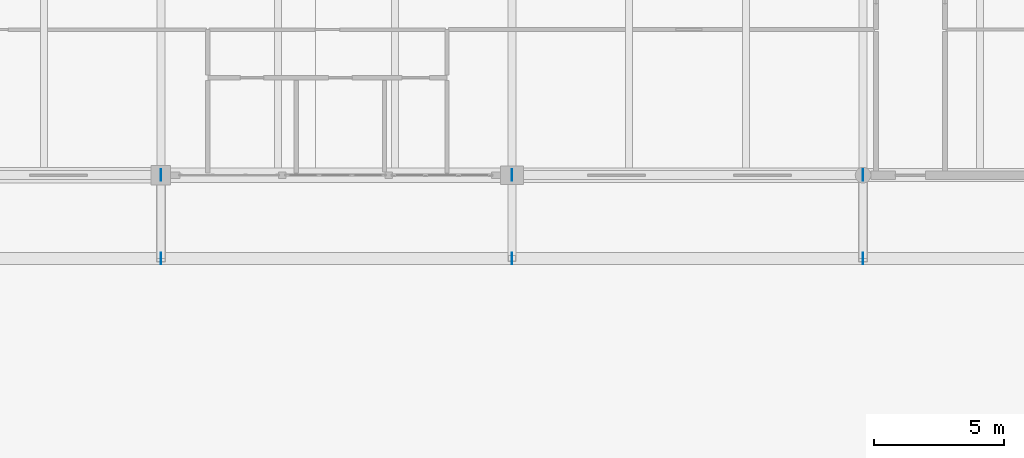
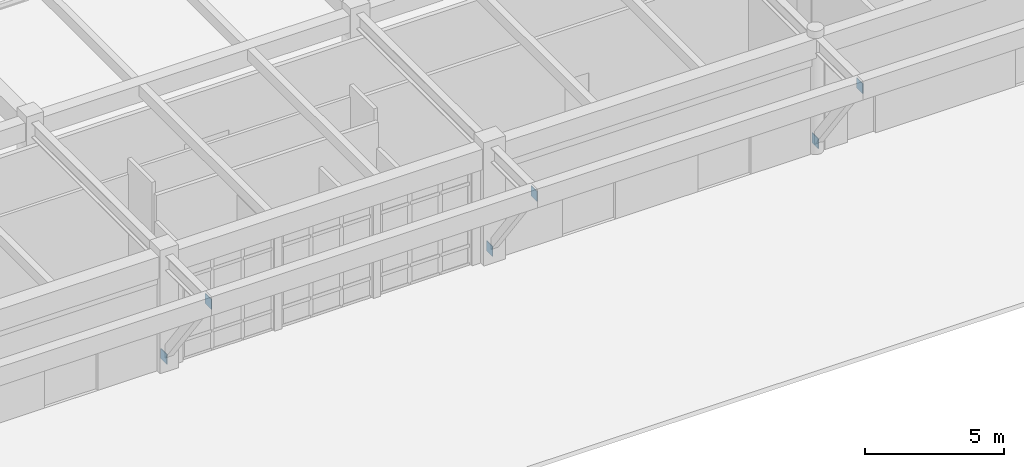
# One storey, part 105 of 138: 6 plates.
"""IFC4 building model written with IfcOpenShell, lengths in metres."""

from ifc_helpers import new_model, si_unit, direction, frame, origin, origin_2d, place, context, subcontext, project, spatial, rectangle, extrude, material, layer, layer_set, type_object, element, save


model = new_model("IFC4")

# Units and contexts
model_context = context("Model", 3, precision=1e-05, world=origin(), true_north=direction((0.0, 1.0)))
body_context = subcontext(model_context, "Body", "Model", "MODEL_VIEW")
ifc_project = project(units=[si_unit("LENGTHUNIT", "METRE"), si_unit("AREAUNIT", "SQUARE_METRE"), si_unit("VOLUMEUNIT", "CUBIC_METRE"), si_unit("PLANEANGLEUNIT", "RADIAN"), si_unit("MASSUNIT", "GRAM", prefix="KILO")], contexts=[model_context])

# Site, building, storey
site_placement = place(None, origin())
site = spatial("IfcSite", under=ifc_project, at=site_placement, CompositionType="ELEMENT")
building_placement = place(site_placement, origin())
building = spatial("IfcBuilding", under=site, at=building_placement, Name="Fikremerkos Civic Library", CompositionType="ELEMENT")
storey_placement = place(building_placement, origin())
storey = spatial("IfcBuildingStorey", under=building, at=storey_placement, Name="L00", CompositionType="ELEMENT", Elevation=0.0)

# Plates
ifc_material = material(Name="Steel S355", Category="steel")
ifc_layer = layer(ifc_material, 0.030029296875, Name="Steel S355")
ifc_layer_set = layer_set([ifc_layer], Name="Steel S355")
plate_type = type_object("IfcPlateType", Name="Steel gusset cap plate GSP-01 440x440x30", PredefinedType="USERDEFINED", material=ifc_layer_set)
for number, where, z_axis, x_axis, name in (
    (1, (73.199951171875, 12.0, 0.179931640625), (0.0, 0.0, 1.0), (1.0, 0.0, 0.0), "Steel gusset cap plate GSP-01 #19"),
    (2, (73.199951171875, 8.800048828125, 4.534912109375), (0.0, 0.0, 1.0), (1.0, 0.0, 0.0), "Steel gusset cap plate GSP-01 #20"),
    (3, (86.699951171875, 12.0, 0.179931640625), (0.0, 0.0, 1.0), (1.0, 0.0, 0.0), "Steel gusset cap plate GSP-01 #25"),
    (4, (86.699951171875, 8.800048828125, 4.534912109375), (0.0, 0.0, 1.0), (1.0, 0.0, 0.0), "Steel gusset cap plate GSP-01 #26"),
    (5, (100.199951171875, 12.0, 0.179931640625), (0.0, 0.0, 1.0), (1.0, 0.0, 0.0), "Steel gusset cap plate GSP-01 #31"),
    (6, (100.199951171875, 8.800048828125, 4.534912109375), (0.0, 0.0, 1.0), (1.0, 0.0, 0.0), "Steel gusset cap plate GSP-01 #32"),
):
    element("IfcPlate", number, at=place(storey_placement, frame(where, z_axis=z_axis, x_axis=x_axis)), inside=storey, type_object=plate_type, Name=name, ObjectType="GUSSET PLATE", PredefinedType="USERDEFINED", context=body_context, shape_type="SweptSolid", body=[
        extrude(rectangle(XDim=0.030029296875, YDim=0.43994140625, at=origin_2d()), origin(), (0.0, 0.0, 1.0), 0.43994140625),
    ])

save(model, "model.ifc")
